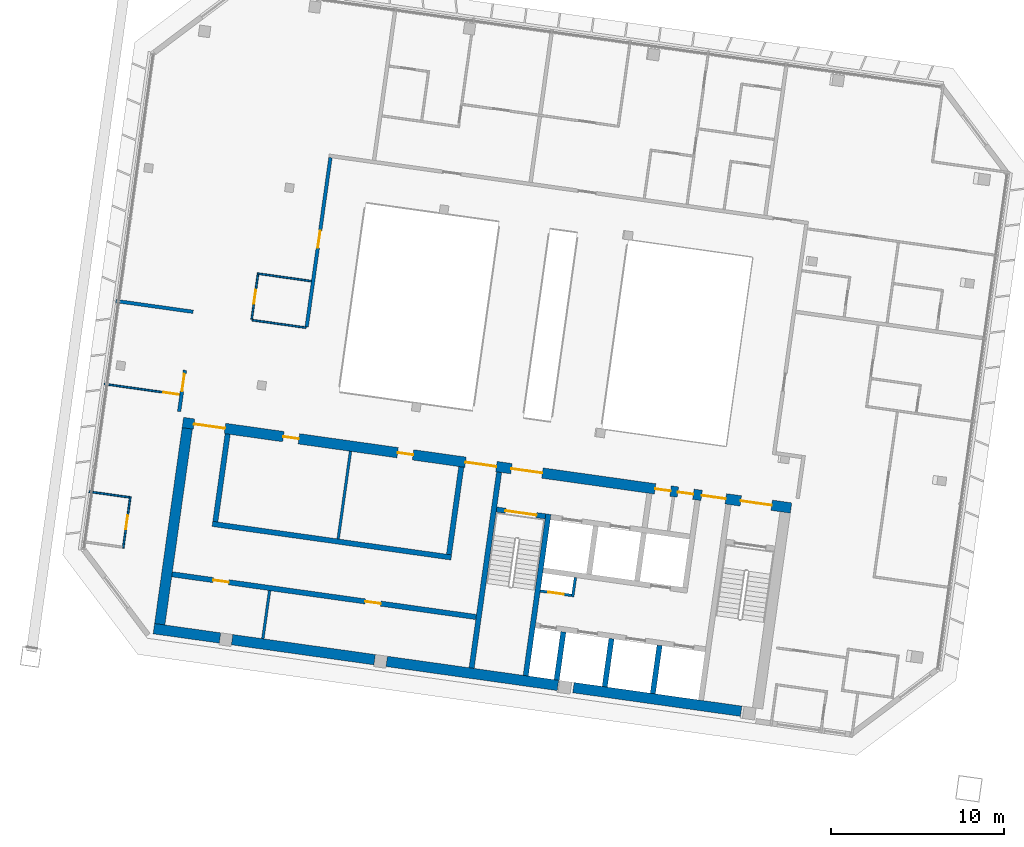
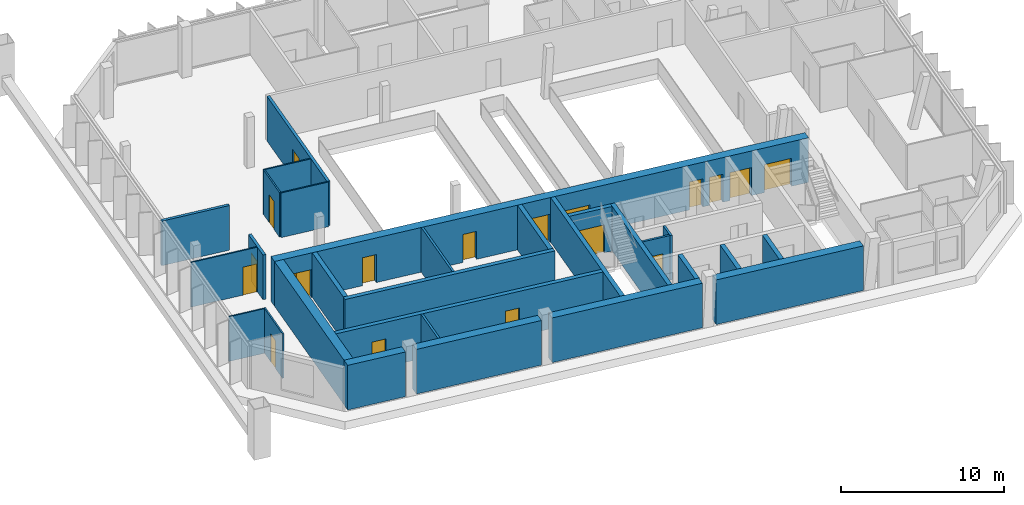
# One storey, part 15 of 26: 29 walls, 18 doors, 18 openings.
"""IFC4 building model written with IfcOpenShell, lengths in metres."""

import ifcopenshell
import ifcopenshell.guid

model = None  # the IFC model being written
_history = None  # IfcOwnerHistory: only IFC2X3 demands one
_inside = {}  # id of a spatial element -> (the spatial element, [elements in it])
_under = {}  # id of a project, library or spatial element -> (it, [spatial elements below it])
_declared = {}  # id of a project -> (the project, [libraries it declares])
_typed = {}  # id of a type object -> (the type object, [elements of that type])
_made_of = {}  # id of a material, layer set ... -> (it, [elements and type objects made of it])


def new_model(schema):
    """Start an empty IFC model of exactly this schema.

    Asked for "IFC4X3", IfcOpenShell would pick the latest addendum, in which some entities
    have other attributes; the version numbers below select the first issue.
    IFC2X3 requires an IfcOwnerHistory on every rooted entity: one is made here for all.
    """
    global model, _history
    if schema == "IFC4X3":
        model = ifcopenshell.file(schema_version=(4, 3, 0, 0))
    else:
        model = ifcopenshell.file(schema=schema)
    _inside.clear()
    _under.clear()
    _declared.clear()
    _typed.clear()
    _made_of.clear()
    _history = None
    if model.schema == "IFC2X3":
        org = make("IfcOrganization", Name="unknown")
        user = make(
            "IfcPersonAndOrganization",
            ThePerson=make("IfcPerson", FamilyName="unknown"),
            TheOrganization=org,
        )
        app = make(
            "IfcApplication",
            ApplicationDeveloper=org,
            Version="unknown",
            ApplicationFullName="unknown",
            ApplicationIdentifier="unknown",
        )
        _history = make(
            "IfcOwnerHistory",
            OwningUser=user,
            OwningApplication=app,
            ChangeAction="ADDED",
            CreationDate=0,
        )
    return model


def make(cls, **values):
    """One entity of the class cls with the attributes given. An attribute that is None is left unset."""
    return model.create_entity(
        cls, **{name: value for name, value in values.items() if value is not None}
    )


def rooted(cls, **values):
    """An entity with a GlobalId (a new one), such as an element, a storey or a relation."""
    return make(cls, GlobalId=ifcopenshell.guid.new(), OwnerHistory=_history, **values)


def si_unit(unit_type, name, prefix=None):
    """IfcSIUnit, for example si_unit("LENGTHUNIT", "METRE", prefix="MILLI")."""
    return make("IfcSIUnit", UnitType=unit_type, Prefix=prefix, Name=name)


def assignment(units):
    """IfcUnitAssignment: the units of a project."""
    return None if units is None else make("IfcUnitAssignment", Units=units)


def point(xyz):
    """IfcCartesianPoint."""
    return None if xyz is None else make("IfcCartesianPoint", Coordinates=xyz)


def direction(xyz):
    """IfcDirection."""
    return None if xyz is None else make("IfcDirection", DirectionRatios=xyz)


def frame(location, z_axis=None, x_axis=None):
    """IfcAxis2Placement3D, a coordinate frame: its origin and axes. An axis left out is left unset."""
    return make(
        "IfcAxis2Placement3D",
        Location=point(location),
        Axis=direction(z_axis),
        RefDirection=direction(x_axis),
    )


def frame_2d(location, x_axis=None):
    """IfcAxis2Placement2D, a coordinate frame in the plane: its origin and x axis."""
    return make(
        "IfcAxis2Placement2D", Location=point(location), RefDirection=direction(x_axis)
    )


def origin():
    """The frame at (0, 0, 0) with its axes left unset."""
    return frame((0.0, 0.0, 0.0))


def place(relative_to, where):
    """IfcLocalPlacement: puts the frame where relative to a parent placement (None: the world)."""
    return make(
        "IfcLocalPlacement", PlacementRelTo=relative_to, RelativePlacement=where
    )


def context(
    kind, dimensions, precision=None, world=None, true_north=None, identifier=None
):
    """IfcGeometricRepresentationContext, for example the 3D "Model" context."""
    return make(
        "IfcGeometricRepresentationContext",
        ContextIdentifier=identifier,
        ContextType=kind,
        CoordinateSpaceDimension=dimensions,
        Precision=precision,
        WorldCoordinateSystem=world,
        TrueNorth=true_north,
    )


def subcontext(parent, identifier, kind, view, scale=None):
    """IfcGeometricRepresentationSubContext, for example "Body" below "Model"."""
    return make(
        "IfcGeometricRepresentationSubContext",
        ContextIdentifier=identifier,
        ContextType=kind,
        ParentContext=parent,
        TargetScale=scale,
        TargetView=view,
    )


def project(units=None, contexts=None):
    """IfcProject with its units and contexts."""
    return rooted(
        "IfcProject",
        Name="project",
        RepresentationContexts=contexts,
        UnitsInContext=assignment(units),
    )


def spatial(cls, under=None, at=None, **own):
    """A site, building, storey or space (cls), placed at a placement, below another one or the project."""
    s = rooted(cls, ObjectPlacement=at, **own)
    if under is not None:
        _under.setdefault(under.id(), (under, []))[1].append(s)
    return s


def profile(cls, at=None, kind="AREA", **sizes):
    """A parametric profile (cls). Its sizes go by their IFC names, for example OverallWidth=200.0."""
    return make(cls, ProfileType=kind, Position=at, **sizes)


def rectangle(**sizes):
    """IfcRectangleProfileDef."""
    return profile("IfcRectangleProfileDef", **sizes)


def extrude(swept, where, along, depth):
    """IfcExtrudedAreaSolid: the profile swept, set in the frame where, extruded along a direction by depth."""
    return make(
        "IfcExtrudedAreaSolid",
        SweptArea=swept,
        Position=where,
        ExtrudedDirection=direction(along),
        Depth=depth,
    )


def shape(context_of_items, identifier, shape_type, items):
    """IfcShapeRepresentation: the items that make up one representation, for example the "Body"."""
    return make(
        "IfcShapeRepresentation",
        ContextOfItems=context_of_items,
        RepresentationIdentifier=identifier,
        RepresentationType=shape_type,
        Items=items,
    )


def material(Name=None, Category=None):
    """IfcMaterial."""
    return make("IfcMaterial", Name=Name, Category=Category)


def layer(
    of_material, thickness, ventilated=None, Name=None, Category=None, Priority=None
):
    """IfcMaterialLayer: one layer of a wall or slab, of a material (None: an air gap)."""
    return make(
        "IfcMaterialLayer",
        Material=of_material,
        LayerThickness=thickness,
        IsVentilated=ventilated,
        Name=Name,
        Category=Category,
        Priority=Priority,
    )


def layer_set(layers, Name=None):
    """IfcMaterialLayerSet."""
    return make("IfcMaterialLayerSet", MaterialLayers=layers, LayerSetName=Name)


def made_of(thing, what):
    """Note that an element or type object is made of a material, layer set ...; save() writes the relation."""
    if what is not None:
        _made_of.setdefault(what.id(), (what, []))[1].append(thing)
    return thing


def type_object(cls, material=None, **own):
    """A type object (cls), such as IfcWallType, which elements share."""
    return made_of(rooted(cls, **own), material)


def element(
    cls,
    number,
    at=None,
    inside=None,
    cuts=None,
    type_object=None,
    material=None,
    context=None,
    identifier="Body",
    shape_type=None,
    held_by="IfcProductDefinitionShape",
    body=None,
    shapes=None,
    **own,
):
    """One element of the class cls, such as IfcWall. Its Tag is "e" and its number.

    at: its placement. inside: the storey or other place that contains it. cuts: it is an
    opening in that element (IfcRelVoidsElement). A single representation is given by context,
    identifier, shape_type and body (its items); several are given by shapes. held_by: the class
    of the entity that holds the representations. save() writes the other relations.
    """
    e = rooted(cls, Tag="e%d" % number, ObjectPlacement=at, **own)
    if body is not None:
        shapes = [shape(context, identifier, shape_type, body)]
    if shapes is not None:
        e.Representation = make(held_by, Representations=shapes)
    if inside is not None:
        _inside.setdefault(inside.id(), (inside, []))[1].append(e)
    if cuts is not None:
        rooted(
            "IfcRelVoidsElement", RelatingBuildingElement=cuts, RelatedOpeningElement=e
        )
    if type_object is not None:
        _typed.setdefault(type_object.id(), (type_object, []))[1].append(e)
    return made_of(e, material)


def fill(opening, filler):
    """IfcRelFillsElement: the door or window that sits in an opening."""
    return rooted(
        "IfcRelFillsElement",
        RelatingOpeningElement=opening,
        RelatedBuildingElement=filler,
    )


def aggregate(whole, parts):
    """IfcRelAggregates: a whole, such as a stair, and the parts it consists of."""
    return rooted("IfcRelAggregates", RelatingObject=whole, RelatedObjects=parts)


def save(model, path):
    """Write the relations noted so far, then the file.

    IfcRelAggregates (storeys below a building ...), IfcRelContainedInSpatialStructure (elements
    in a storey), IfcRelDefinesByType, IfcRelAssociatesMaterial and IfcRelDeclares: one each for
    every whole, place, type object, material and project.
    """
    for whole, parts in _under.values():
        aggregate(whole, parts)
    for where, things in _inside.values():
        rooted(
            "IfcRelContainedInSpatialStructure",
            RelatedElements=things,
            RelatingStructure=where,
        )
    for kind, things in _typed.values():
        rooted("IfcRelDefinesByType", RelatedObjects=things, RelatingType=kind)
    for what, things in _made_of.values():
        rooted("IfcRelAssociatesMaterial", RelatedObjects=things, RelatingMaterial=what)
    for by, libraries in _declared.values():
        rooted("IfcRelDeclares", RelatingContext=by, RelatedDefinitions=libraries)
    model.write(path)


model = new_model("IFC4")

# Units and contexts
model_context = context("Model", 3, precision=1e-05, world=origin(), true_north=direction((0.0, 1.0)))
body_context = subcontext(model_context, "Body", "Model", "MODEL_VIEW")
ifc_project = project(units=[si_unit("LENGTHUNIT", "METRE"), si_unit("AREAUNIT", "SQUARE_METRE"), si_unit("VOLUMEUNIT", "CUBIC_METRE"), si_unit("PLANEANGLEUNIT", "RADIAN"), si_unit("MASSUNIT", "GRAM", prefix="KILO")], contexts=[model_context])

# Site, building, storey
site_placement = place(None, origin())
site = spatial("IfcSite", under=ifc_project, at=site_placement, CompositionType="ELEMENT")
building_placement = place(site_placement, origin())
building = spatial("IfcBuilding", under=site, at=building_placement, Name="Mirante Cascada Hotel Towers", CompositionType="ELEMENT")
storey_placement = place(building_placement, frame((0.0, 0.0, 216.6)))
storey = spatial("IfcBuildingStorey", under=building, at=storey_placement, Name="L51", CompositionType="ELEMENT", Elevation=216.6)

# Wall
ifc_material_1 = material(Name="Fire-rated plasterboard on metal studs")
ifc_layer_1 = layer(ifc_material_1, 0.2)
ifc_layer_set_1 = layer_set([ifc_layer_1], Name="Compartment wall 200 EI 120")
wall_type_1 = type_object("IfcWallType", Name="Compartment wall 200 EI 120", PredefinedType="PARTITIONING", material=ifc_layer_set_1)
wall_1_placement = place(storey_placement, frame((-70.1059, 3.6365, 0.0), z_axis=(0.0, 0.0, 1.0), x_axis=(-0.9902674, 0.1391779, 0.0)))
element("IfcWall", 1, at=wall_1_placement, inside=storey, type_object=wall_type_1, Name="Wall 1-L51-12", PredefinedType="PARTITIONING", context=body_context, shape_type="SweptSolid", body=[
    extrude(rectangle(XDim=4.5, YDim=0.2, at=frame_2d((2.25, 0.0))), origin(), (0.0, 0.0, 1.0), 3.35),
])

# Wall, opening, door
wall_2_placement = place(storey_placement, frame((-63.5631, 2.7675, 0.0), z_axis=(0.0, 0.0, 1.0), x_axis=(0.1391682, 0.9902688, 0.0)))
wall_2 = element("IfcWall", 2, at=wall_2_placement, inside=storey, type_object=wall_type_1, Name="Wall 1-L51-52", PredefinedType="PARTITIONING", context=body_context, shape_type="SweptSolid", body=[
    extrude(rectangle(XDim=9.85, YDim=0.2, at=frame_2d((4.925, 0.0))), origin(), (0.0, 0.0, 1.0), 3.35),
])
opening_1_placement = place(wall_2_placement, frame((4.6, 0.0, 0.0)))
opening_1 = element("IfcOpeningElement", 3, at=opening_1_placement, cuts=wall_2, Name="Opening D1-L51-26", PredefinedType="OPENING", context=body_context, shape_type="SweptSolid", body=[
    extrude(rectangle(XDim=1.0, YDim=2.1, at=frame_2d((0.5, 1.05))), frame((0.0, 0.1, 0.0), z_axis=(0.0, -1.0, 0.0), x_axis=(1.0, 0.0, 0.0)), (0.0, 0.0, 1.0), 0.2),
])
ifc_material_2 = material(Name="Fire-rated timber door leaf", Category="wood")
door_type_1 = type_object("IfcDoorType", Name="Entrance door DG1 1000x2100 EI 60", OperationType="SINGLE_SWING_LEFT", PredefinedType="DOOR", material=ifc_material_2)
door_1_placement = place(opening_1_placement, origin())
door_1 = element("IfcDoor", 4, at=door_1_placement, inside=storey, type_object=door_type_1, Name="Door D1-L51-26", OperationType="SINGLE_SWING_LEFT", OverallHeight=2.1, OverallWidth=1.0, PredefinedType="DOOR", context=body_context, shape_type="SweptSolid", body=[
    extrude(rectangle(XDim=1.0, YDim=2.1, at=frame_2d((0.5, 1.05))), frame((0.0, 0.025, 0.0), z_axis=(0.0, -1.0, 0.0), x_axis=(1.0, 0.0, 0.0)), (0.0, 0.0, 1.0), 0.05),
])
fill(opening_1, door_1)

wall_3_placement = place(storey_placement, frame((-70.9131, -2.107, 0.0), z_axis=(0.0, 0.0, 1.0), x_axis=(0.1392101, 0.9902629, 0.0)))
wall_3 = element("IfcWall", 5, at=wall_3_placement, inside=storey, type_object=wall_type_1, Name="Wall 1-L51-54", PredefinedType="PARTITIONING", context=body_context, shape_type="SweptSolid", body=[
    extrude(rectangle(XDim=2.4, YDim=0.2, at=frame_2d((1.2, 0.0))), origin(), (0.0, 0.0, 1.0), 3.35),
])
opening_2_placement = place(wall_3_placement, frame((1.1833, 0.0, 0.0)))
opening_2 = element("IfcOpeningElement", 6, at=opening_2_placement, cuts=wall_3, Name="Opening D1-L51-28", PredefinedType="OPENING", context=body_context, shape_type="SweptSolid", body=[
    extrude(rectangle(XDim=1.0, YDim=2.1, at=frame_2d((0.5, 1.05))), frame((0.0, 0.1, 0.0), z_axis=(0.0, -1.0, 0.0), x_axis=(1.0, 0.0, 0.0)), (0.0, 0.0, 1.0), 0.2),
])
door_2_placement = place(opening_2_placement, origin())
door_2 = element("IfcDoor", 7, at=door_2_placement, inside=storey, type_object=door_type_1, Name="Door D1-L51-28", OperationType="SINGLE_SWING_LEFT", OverallHeight=2.1, OverallWidth=1.0, PredefinedType="DOOR", context=body_context, shape_type="SweptSolid", body=[
    extrude(rectangle(XDim=1.0, YDim=2.1, at=frame_2d((0.5, 1.05))), frame((0.0, 0.025, 0.0), z_axis=(0.0, -1.0, 0.0), x_axis=(1.0, 0.0, 0.0)), (0.0, 0.0, 1.0), 0.05),
])
fill(opening_2, door_2)

# Wall
ifc_material_3 = material(Name="Masonry block", Category="masonry")
ifc_layer_2 = layer(ifc_material_3, 0.15)
ifc_layer_set_2 = layer_set([ifc_layer_2], Name="Core room partition 150 block EI 30")
wall_type_2 = type_object("IfcWallType", Name="Core room partition 150 block EI 30", PredefinedType="PARTITIONING", material=ifc_layer_set_2)
wall_4_placement = place(storey_placement, frame((-48.2295, -12.793, 0.0), z_axis=(0.0, 0.0, 1.0), x_axis=(0.1391935, 0.9902652, 0.0)))
element("IfcWall", 8, at=wall_4_placement, inside=storey, type_object=wall_type_2, Name="Core wall partition T1 L51 2", PredefinedType="PARTITIONING", context=body_context, shape_type="SweptSolid", body=[
    extrude(rectangle(XDim=1.1251, YDim=0.15, at=frame_2d((0.5626, 0.0))), origin(), (0.0, 0.0, 1.0), 3.35),
])

# Wall, opening, door
wall_5_placement = place(storey_placement, frame((-48.2933, -12.7083, 0.0), z_axis=(0.0, 0.0, 1.0), x_axis=(-0.990268, 0.1391734, 0.0)))
wall_5 = element("IfcWall", 9, at=wall_5_placement, inside=storey, type_object=wall_type_2, Name="Core wall partition T1 L51 3", PredefinedType="PARTITIONING", context=body_context, shape_type="SweptSolid", body=[
    extrude(rectangle(XDim=1.8251, YDim=0.15, at=frame_2d((0.9126, 0.0))), origin(), (0.0, 0.0, 1.0), 3.35),
])
opening_3_placement = place(wall_5_placement, frame((0.4625, 0.0, 0.0)))
opening_3 = element("IfcOpeningElement", 10, at=opening_3_placement, cuts=wall_5, Name="Opening D1-51-C15", PredefinedType="OPENING", context=body_context, shape_type="SweptSolid", body=[
    extrude(rectangle(XDim=0.9, YDim=2.1, at=frame_2d((0.45, 1.05))), frame((0.0, 0.075, 0.0), z_axis=(0.0, -1.0, 0.0), x_axis=(1.0, 0.0, 0.0)), (0.0, 0.0, 1.0), 0.15),
])
ifc_material_4 = material(Name="Hollow metal fire door leaf")
door_type_2 = type_object("IfcDoorType", Name="Fire door 900x2100 FD60", OperationType="NOTDEFINED", PredefinedType="DOOR", material=ifc_material_4)
door_3_placement = place(opening_3_placement, origin())
door_3 = element("IfcDoor", 11, at=door_3_placement, inside=storey, type_object=door_type_2, Name="Riser door T1 L51 15", OperationType="SINGLE_SWING_LEFT", OverallHeight=2.1, OverallWidth=0.9, PredefinedType="DOOR", context=body_context, shape_type="SweptSolid", body=[
    extrude(rectangle(XDim=0.9, YDim=2.1, at=frame_2d((0.45, 1.05))), frame((0.0, 0.025, 0.0), z_axis=(0.0, -1.0, 0.0), x_axis=(1.0, 0.0, 0.0)), (0.0, 0.0, 1.0), 0.05),
])
fill(opening_3, door_3)

# Walls
wall_6_placement = place(storey_placement, frame((-66.0891, -15.2059, 0.0), z_axis=(0.0, 0.0, 1.0), x_axis=(0.139176, 0.9902677, 0.0)))
element("IfcWall", 12, at=wall_6_placement, inside=storey, type_object=wall_type_2, Name="Core wall partition T1 L51 6", PredefinedType="PARTITIONING", context=body_context, shape_type="SweptSolid", body=[
    extrude(rectangle(XDim=2.8001, YDim=0.15, at=frame_2d((1.4, 0.0))), origin(), (0.0, 0.0, 1.0), 3.35),
])
wall_7_placement = place(storey_placement, frame((-61.7464, -9.4543, 0.0), z_axis=(0.0, 0.0, 1.0), x_axis=(0.1391755, 0.9902677, 0.0)))
element("IfcWall", 13, at=wall_7_placement, inside=storey, type_object=wall_type_2, Name="Core wall partition T1 L51 7", PredefinedType="PARTITIONING", context=body_context, shape_type="SweptSolid", body=[
    extrude(rectangle(XDim=5.1, YDim=0.15, at=frame_2d((2.55, 0.0))), origin(), (0.0, 0.0, 1.0), 3.35),
])

# Wall, openings, doors
ifc_material_5 = material(Name="Masonry block", Category="masonry")
ifc_layer_3 = layer(ifc_material_5, 0.3)
ifc_layer_set_3 = layer_set([ifc_layer_3], Name="Core wall 300 block EI 120")
wall_type_3 = type_object("IfcWallType", Name="Core wall 300 block EI 120", PredefinedType="PARTITIONING", material=ifc_layer_set_3)
wall_8_placement = place(storey_placement, frame((-53.7953, -13.9547, 0.0), z_axis=(0.0, 0.0, 1.0), x_axis=(-0.9902678, 0.1391747, 0.0)))
wall_8 = element("IfcWall", 14, at=wall_8_placement, inside=storey, type_object=wall_type_3, Name="Core wall partition T1 L51 5", PredefinedType="PARTITIONING", context=body_context, shape_type="SweptSolid", body=[
    extrude(rectangle(XDim=17.7001, YDim=0.3, at=frame_2d((8.85, 0.0))), origin(), (0.0, 0.0, 1.0), 3.35),
])
opening_4_placement = place(wall_8_placement, frame((5.55, 0.0, 0.0)))
opening_4 = element("IfcOpeningElement", 15, at=opening_4_placement, cuts=wall_8, Name="Opening D1-51-C18", PredefinedType="OPENING", context=body_context, shape_type="SweptSolid", body=[
    extrude(rectangle(XDim=0.9, YDim=2.1, at=frame_2d((0.45, 1.05))), frame((0.0, 0.15, 0.0), z_axis=(0.0, -1.0, 0.0), x_axis=(1.0, 0.0, 0.0)), (0.0, 0.0, 1.0), 0.3),
])
opening_5_placement = place(wall_8_placement, frame((14.4, 0.0, 0.0)))
opening_5 = element("IfcOpeningElement", 16, at=opening_5_placement, cuts=wall_8, Name="Opening D1-51-C19", PredefinedType="OPENING", context=body_context, shape_type="SweptSolid", body=[
    extrude(rectangle(XDim=0.9, YDim=2.1, at=frame_2d((0.45, 1.05))), frame((0.0, 0.15, 0.0), z_axis=(0.0, -1.0, 0.0), x_axis=(1.0, 0.0, 0.0)), (0.0, 0.0, 1.0), 0.3),
])
door_4_placement = place(opening_4_placement, origin())
door_4 = element("IfcDoor", 17, at=door_4_placement, inside=storey, type_object=door_type_2, Name="Room door T1 L51 18", OperationType="SINGLE_SWING_RIGHT", OverallHeight=2.1, OverallWidth=0.9, PredefinedType="DOOR", context=body_context, shape_type="SweptSolid", body=[
    extrude(rectangle(XDim=0.9, YDim=2.1, at=frame_2d((0.45, 1.05))), frame((0.0, 0.025, 0.0), z_axis=(0.0, -1.0, 0.0), x_axis=(1.0, 0.0, 0.0)), (0.0, 0.0, 1.0), 0.05),
])
fill(opening_4, door_4)
door_5_placement = place(opening_5_placement, origin())
door_5 = element("IfcDoor", 18, at=door_5_placement, inside=storey, type_object=door_type_2, Name="Room door T1 L51 19", OperationType="SINGLE_SWING_LEFT", OverallHeight=2.1, OverallWidth=0.9, PredefinedType="DOOR", context=body_context, shape_type="SweptSolid", body=[
    extrude(rectangle(XDim=0.9, YDim=2.1, at=frame_2d((0.45, 1.05))), frame((0.0, 0.025, 0.0), z_axis=(0.0, -1.0, 0.0), x_axis=(1.0, 0.0, 0.0)), (0.0, 0.0, 1.0), 0.05),
])
fill(opening_5, door_5)

# Wall
ifc_material_6 = material(Name="Plasterboard on metal studs")
ifc_layer_4 = layer(ifc_material_6, 0.1)
ifc_layer_set_4 = layer_set([ifc_layer_4], Name="Partition 100")
wall_type_4 = type_object("IfcWallType", Name="Partition 100", PredefinedType="PARTITIONING", material=ifc_layer_set_4)
wall_9_placement = place(storey_placement, frame((-73.7798, -7.0562, 0.0), z_axis=(0.0, 0.0, 1.0), x_axis=(-0.9902712, 0.1391512, 0.0)))
element("IfcWall", 19, at=wall_9_placement, inside=storey, type_object=wall_type_4, Name="Wall 1-L51-06", PredefinedType="PARTITIONING", context=body_context, shape_type="SweptSolid", body=[
    extrude(rectangle(XDim=2.35, YDim=0.1, at=frame_2d((1.175, 0.0))), origin(), (0.0, 0.0, 1.0), 3.35),
])

# Wall, opening, door
wall_10_placement = place(storey_placement, frame((-70.8775, -1.1358, 0.0), z_axis=(0.0, 0.0, 1.0), x_axis=(-0.9902701, 0.1391587, 0.0)))
wall_10 = element("IfcWall", 20, at=wall_10_placement, inside=storey, type_object=wall_type_4, Name="Wall 1-L51-08", PredefinedType="PARTITIONING", context=body_context, shape_type="SweptSolid", body=[
    extrude(rectangle(XDim=4.4, YDim=0.1, at=frame_2d((2.2, 0.0))), origin(), (0.0, 0.0, 1.0), 3.35),
])
opening_6_placement = place(wall_10_placement, frame((0.05, 0.0, 0.0)))
opening_6 = element("IfcOpeningElement", 21, at=opening_6_placement, cuts=wall_10, Name="Opening D1-L51-03", PredefinedType="OPENING", context=body_context, shape_type="SweptSolid", body=[
    extrude(rectangle(XDim=0.9, YDim=2.1, at=frame_2d((0.45, 1.05))), frame((0.0, 0.05, 0.0), z_axis=(0.0, -1.0, 0.0), x_axis=(1.0, 0.0, 0.0)), (0.0, 0.0, 1.0), 0.1),
])
ifc_material_7 = material(Name="Timber door leaf", Category="wood")
door_type_3 = type_object("IfcDoorType", Name="Room door DG3 900x2100", OperationType="SINGLE_SWING_LEFT", PredefinedType="DOOR", material=ifc_material_7)
door_6_placement = place(opening_6_placement, origin())
door_6 = element("IfcDoor", 22, at=door_6_placement, inside=storey, type_object=door_type_3, Name="Door D1-L51-03", OperationType="SINGLE_SWING_LEFT", OverallHeight=2.1, OverallWidth=0.9, PredefinedType="DOOR", context=body_context, shape_type="SweptSolid", body=[
    extrude(rectangle(XDim=0.9, YDim=2.1, at=frame_2d((0.45, 1.05))), frame((0.0, 0.025, 0.0), z_axis=(0.0, -1.0, 0.0), x_axis=(1.0, 0.0, 0.0)), (0.0, 0.0, 1.0), 0.05),
])
fill(opening_6, door_6)

# Walls
wall_11_placement = place(storey_placement, frame((-66.7092, 3.1591, 0.0), z_axis=(0.0, 0.0, 1.0), x_axis=(0.990268, -0.1391738, 0.0)))
element("IfcWall", 23, at=wall_11_placement, inside=storey, type_object=wall_type_4, Name="Wall 1-L51-11", PredefinedType="PARTITIONING", context=body_context, shape_type="SweptSolid", body=[
    extrude(rectangle(XDim=3.14, YDim=0.1, at=frame_2d((1.57, 0.0))), origin(), (0.0, 0.0, 1.0), 3.35),
])
wall_12_placement = place(storey_placement, frame((-63.2933, 5.4056, 0.0), z_axis=(0.0, 0.0, 1.0), x_axis=(-0.9902682, 0.1391721, 0.0)))
element("IfcWall", 24, at=wall_12_placement, inside=storey, type_object=wall_type_4, Name="Wall 1-L51-14", PredefinedType="PARTITIONING", context=body_context, shape_type="SweptSolid", body=[
    extrude(rectangle(XDim=3.1501, YDim=0.1, at=frame_2d((1.575, 0.0))), origin(), (0.0, 0.0, 1.0), 3.35),
])

# Wall, opening, door
wall_13_placement = place(storey_placement, frame((-66.3701, 5.7875, 0.0), z_axis=(0.0, 0.0, 1.0), x_axis=(-0.1391918, -0.9902654, 0.0)))
wall_13 = element("IfcWall", 25, at=wall_13_placement, inside=storey, type_object=wall_type_4, Name="Wall 1-L51-53", PredefinedType="PARTITIONING", context=body_context, shape_type="SweptSolid", body=[
    extrude(rectangle(XDim=2.6, YDim=0.1, at=frame_2d((1.3, 0.0))), origin(), (0.0, 0.0, 1.0), 3.35),
])
opening_7_placement = place(wall_13_placement, frame((0.9, 0.0, 0.0)))
opening_7 = element("IfcOpeningElement", 26, at=opening_7_placement, cuts=wall_13, Name="Opening D1-L51-27", PredefinedType="OPENING", context=body_context, shape_type="SweptSolid", body=[
    extrude(rectangle(XDim=0.8, YDim=2.1, at=frame_2d((0.4, 1.05))), frame((0.0, 0.05, 0.0), z_axis=(0.0, -1.0, 0.0), x_axis=(1.0, 0.0, 0.0)), (0.0, 0.0, 1.0), 0.1),
])
ifc_material_8 = material(Name="Timber door leaf", Category="wood")
door_type_4 = type_object("IfcDoorType", Name="Bathroom door DG4 800x2100", OperationType="SINGLE_SWING_LEFT", PredefinedType="DOOR", material=ifc_material_8)
door_7_placement = place(opening_7_placement, frame((0.8, 0.0, 0.0), z_axis=(0.0, 0.0, 1.0), x_axis=(-1.0, 0.0, 0.0)))
door_7 = element("IfcDoor", 27, at=door_7_placement, inside=storey, type_object=door_type_4, Name="Door D1-L51-27", OperationType="SINGLE_SWING_RIGHT", OverallHeight=2.1, OverallWidth=0.8, PredefinedType="DOOR", context=body_context, shape_type="SweptSolid", body=[
    extrude(rectangle(XDim=0.8, YDim=2.1, at=frame_2d((0.4, 1.05))), frame((0.0, 0.025, 0.0), z_axis=(0.0, -1.0, 0.0), x_axis=(1.0, 0.0, 0.0)), (0.0, 0.0, 1.0), 0.05),
])
fill(opening_7, door_7)

wall_14_placement = place(storey_placement, frame((-73.7233, -7.0137, 0.0), z_axis=(0.0, 0.0, 1.0), x_axis=(-0.139167, -0.9902689, 0.0)))
wall_14 = element("IfcWall", 28, at=wall_14_placement, inside=storey, type_object=wall_type_4, Name="Wall 1-L51-55", PredefinedType="PARTITIONING", context=body_context, shape_type="SweptSolid", body=[
    extrude(rectangle(XDim=3.0, YDim=0.1, at=frame_2d((1.5, 0.0))), origin(), (0.0, 0.0, 1.0), 3.35),
])
opening_8_placement = place(wall_14_placement, frame((1.1, 0.0, 0.0)))
opening_8 = element("IfcOpeningElement", 29, at=opening_8_placement, cuts=wall_14, Name="Opening D1-L51-29", PredefinedType="OPENING", context=body_context, shape_type="SweptSolid", body=[
    extrude(rectangle(XDim=0.8, YDim=2.1, at=frame_2d((0.4, 1.05))), frame((0.0, 0.05, 0.0), z_axis=(0.0, -1.0, 0.0), x_axis=(1.0, 0.0, 0.0)), (0.0, 0.0, 1.0), 0.1),
])
door_8_placement = place(opening_8_placement, origin())
door_8 = element("IfcDoor", 30, at=door_8_placement, inside=storey, type_object=door_type_4, Name="Door D1-L51-29", OperationType="SINGLE_SWING_LEFT", OverallHeight=2.1, OverallWidth=0.8, PredefinedType="DOOR", context=body_context, shape_type="SweptSolid", body=[
    extrude(rectangle(XDim=0.8, YDim=2.1, at=frame_2d((0.4, 1.05))), frame((0.0, 0.025, 0.0), z_axis=(0.0, -1.0, 0.0), x_axis=(1.0, 0.0, 0.0)), (0.0, 0.0, 1.0), 0.05),
])
fill(opening_8, door_8)

# Walls
ifc_material_9 = material(Name="Concrete C50/60", Category="concrete")
ifc_layer_5 = layer(ifc_material_9, 0.3)
ifc_layer_set_5 = layer_set([ifc_layer_5], Name="RC core wall 300 C50/60")
wall_type_5 = type_object("IfcWallType", Name="RC core wall 300 C50/60", PredefinedType="SHEAR", material=ifc_layer_set_5)
wall_15_placement = place(storey_placement, frame((-50.938, -17.3352, 0.0), z_axis=(0.0, 0.0, 1.0), x_axis=(0.1391706, 0.9902684, 0.0)))
element("IfcWall", 31, at=wall_15_placement, inside=storey, type_object=wall_type_5, Name="Core wall T1:L51:6", PredefinedType="SHEAR", context=body_context, shape_type="SweptSolid", body=[
    extrude(rectangle(XDim=9.4, YDim=0.3, at=frame_2d((4.7, 0.0))), origin(), (0.0, 0.0, 1.0), 3.35),
])
wall_16_placement = place(storey_placement, frame((-54.0574, -16.8968, 0.0), z_axis=(0.0, 0.0, 1.0), x_axis=(0.1391761, 0.9902677, 0.0)))
element("IfcWall", 32, at=wall_16_placement, inside=storey, type_object=wall_type_5, Name="Core wall T1:L51:7", PredefinedType="SHEAR", context=body_context, shape_type="SweptSolid", body=[
    extrude(rectangle(XDim=11.3999, YDim=0.3, at=frame_2d((5.7, 0.0))), origin(), (0.0, 0.0, 1.0), 3.35),
])

# Wall, opening, door
wall_17_placement = place(storey_placement, frame((-49.7992, -8.1544, 0.0), z_axis=(0.0, 0.0, 1.0), x_axis=(-0.9902656, 0.1391909, 0.0)))
wall_17 = element("IfcWall", 33, at=wall_17_placement, inside=storey, type_object=wall_type_5, Name="Core wall T1:L51:9", PredefinedType="SHEAR", context=body_context, shape_type="SweptSolid", body=[
    extrude(rectangle(XDim=2.85, YDim=0.3, at=frame_2d((1.425, 0.0))), origin(), (0.0, 0.0, 1.0), 3.35),
])
opening_9_placement = place(wall_17_placement, frame((0.525, 0.0, 0.0)))
opening_9 = element("IfcOpeningElement", 34, at=opening_9_placement, cuts=wall_17, Name="Opening D1-51-C09", PredefinedType="OPENING", context=body_context, shape_type="SweptSolid", body=[
    extrude(rectangle(XDim=1.8, YDim=2.1, at=frame_2d((0.9, 1.05))), frame((0.0, 0.15, 0.0), z_axis=(0.0, -1.0, 0.0), x_axis=(1.0, 0.0, 0.0)), (0.0, 0.0, 1.0), 0.3),
])
ifc_material_10 = material(Name="Hollow metal fire door leaf")
door_type_5 = type_object("IfcDoorType", Name="Double fire door 1800x2100 FD60", OperationType="DOUBLE_DOOR_SINGLE_SWING", PredefinedType="DOOR", material=ifc_material_10)
door_9_placement = place(opening_9_placement, origin())
door_9 = element("IfcDoor", 35, at=door_9_placement, inside=storey, type_object=door_type_5, Name="Stair door T1 L51 9", OperationType="DOUBLE_DOOR_SINGLE_SWING", OverallHeight=2.1, OverallWidth=1.8, PredefinedType="DOOR", context=body_context, shape_type="SweptSolid", body=[
    extrude(rectangle(XDim=0.895, YDim=2.1, at=frame_2d((0.4475, 1.05))), frame((0.0, 0.025, 0.0), z_axis=(0.0, -1.0, 0.0), x_axis=(1.0, 0.0, 0.0)), (0.0, 0.0, 1.0), 0.05),
    extrude(rectangle(XDim=0.895, YDim=2.1, at=frame_2d((1.3525, 1.05))), frame((0.0, 0.025, 0.0), z_axis=(0.0, -1.0, 0.0), x_axis=(1.0, 0.0, 0.0)), (0.0, 0.0, 1.0), 0.05),
])
fill(opening_9, door_9)

# Walls
wall_18_placement = place(storey_placement, frame((-43.61, -18.3651, 0.0), z_axis=(0.0, 0.0, 1.0), x_axis=(0.1391459, 0.9902719, 0.0)))
element("IfcWall", 36, at=wall_18_placement, inside=storey, type_object=wall_type_5, Name="Core wall T1:L51:13", PredefinedType="SHEAR", context=body_context, shape_type="SweptSolid", body=[
    extrude(rectangle(XDim=2.7999, YDim=0.3, at=frame_2d((1.4, 0.0))), origin(), (0.0, 0.0, 1.0), 3.35),
])
wall_19_placement = place(storey_placement, frame((-46.3828, -17.9754, 0.0), z_axis=(0.0, 0.0, 1.0), x_axis=(0.139181, 0.990267, 0.0)))
element("IfcWall", 37, at=wall_19_placement, inside=storey, type_object=wall_type_5, Name="Core wall T1:L51:14", PredefinedType="SHEAR", context=body_context, shape_type="SweptSolid", body=[
    extrude(rectangle(XDim=2.8, YDim=0.3, at=frame_2d((1.4, 0.0))), origin(), (0.0, 0.0, 1.0), 3.35),
])
wall_20_placement = place(storey_placement, frame((-49.1555, -17.5857, 0.0), z_axis=(0.0, 0.0, 1.0), x_axis=(0.1391459, 0.9902719, 0.0)))
element("IfcWall", 38, at=wall_20_placement, inside=storey, type_object=wall_type_5, Name="Core wall T1:L51:15", PredefinedType="SHEAR", context=body_context, shape_type="SweptSolid", body=[
    extrude(rectangle(XDim=2.7999, YDim=0.3, at=frame_2d((1.4, 0.0))), origin(), (0.0, 0.0, 1.0), 3.35),
])
wall_21_placement = place(storey_placement, frame((-55.2315, -10.5214, 0.0), z_axis=(0.0, 0.0, 1.0), x_axis=(-0.9902681, 0.1391729, 0.0)))
element("IfcWall", 39, at=wall_21_placement, inside=storey, type_object=wall_type_5, Name="Core wall T1:L51:25", PredefinedType="SHEAR", context=body_context, shape_type="SweptSolid", body=[
    extrude(rectangle(XDim=13.9, YDim=0.3, at=frame_2d((6.95, 0.0))), origin(), (0.0, 0.0, 1.0), 3.35),
])
for number, where, z_axis, x_axis, name in (
    (40, (-55.3592, -10.352, 0.0), (0.0, 0.0, 1.0), (0.1391755, 0.9902677, 0.0), "Core wall T1:L51:26"),
    (41, (-68.8268, -8.4592, 0.0), (0.0, 0.0, 1.0), (0.1391755, 0.9902677, 0.0), "Core wall T1:L51:27"),
):
    element("IfcWall", number, at=place(storey_placement, frame(where, z_axis=z_axis, x_axis=x_axis)), inside=storey, type_object=wall_type_5, Name=name, PredefinedType="SHEAR", context=body_context, shape_type="SweptSolid", body=[
        extrude(rectangle(XDim=5.1, YDim=0.3, at=frame_2d((2.55, 0.0))), origin(), (0.0, 0.0, 1.0), 3.35),
    ])
ifc_material_11 = material(Name="Concrete C50/60", Category="concrete")
ifc_layer_6 = layer(ifc_material_11, 0.6)
ifc_layer_set_6 = layer_set([ifc_layer_6], Name="RC core wall 600 C50/60")
wall_type_6 = type_object("IfcWallType", Name="RC core wall 600 C50/60", PredefinedType="SHEAR", material=ifc_layer_set_6)
wall_22_placement = place(storey_placement, frame((-38.5218, -19.3832, 0.0), z_axis=(0.0, 0.0, 1.0), x_axis=(-0.9902674, 0.1391779, 0.0)))
element("IfcWall", 42, at=wall_22_placement, inside=storey, type_object=wall_type_6, Name="Core wall T1:L51:1.1", PredefinedType="SHEAR", context=body_context, shape_type="SweptSolid", body=[
    extrude(rectangle(XDim=9.7616, YDim=0.6, at=frame_2d((4.8808, 0.0))), origin(), (0.0, 0.0, 1.0), 3.35),
])
wall_23_placement = place(storey_placement, frame((-49.0832, -17.8989, 0.0), z_axis=(0.0, 0.0, 1.0), x_axis=(-0.9902679, 0.1391746, 0.0)))
element("IfcWall", 43, at=wall_23_placement, inside=storey, type_object=wall_type_6, Name="Core wall T1:L51:1.2", PredefinedType="SHEAR", context=body_context, shape_type="SweptSolid", body=[
    extrude(rectangle(XDim=9.9652, YDim=0.6, at=frame_2d((4.9826, 0.0))), origin(), (0.0, 0.0, 1.0), 3.35),
])
wall_24_placement = place(storey_placement, frame((-59.6446, -16.4145, 0.0), z_axis=(0.0, 0.0, 1.0), x_axis=(-0.9902686, 0.1391692, 0.0)))
element("IfcWall", 44, at=wall_24_placement, inside=storey, type_object=wall_type_6, Name="Core wall T1:L51:1.3", PredefinedType="SHEAR", context=body_context, shape_type="SweptSolid", body=[
    extrude(rectangle(XDim=8.3, YDim=0.6, at=frame_2d((4.15, 0.0))), origin(), (0.0, 0.0, 1.0), 3.35),
])
wall_25_placement = place(storey_placement, frame((-68.557, -15.162, 0.0), z_axis=(0.0, 0.0, 1.0), x_axis=(-0.990269, 0.1391665, 0.0)))
element("IfcWall", 45, at=wall_25_placement, inside=storey, type_object=wall_type_6, Name="Core wall T1:L51:1.4", PredefinedType="SHEAR", context=body_context, shape_type="SweptSolid", body=[
    extrude(rectangle(XDim=3.8501, YDim=0.6, at=frame_2d((1.925, 0.0))), origin(), (0.0, 0.0, 1.0), 3.35),
])

# Wall, openings, doors
wall_26_placement = place(storey_placement, frame((-35.644, -7.6697, 0.0), z_axis=(0.0, 0.0, 1.0), x_axis=(-0.9902682, 0.1391723, 0.0)))
wall_26 = element("IfcWall", 46, at=wall_26_placement, inside=storey, type_object=wall_type_6, Name="Core wall T1:L51:2", PredefinedType="SHEAR", context=body_context, shape_type="SweptSolid", body=[
    extrude(rectangle(XDim=35.4, YDim=0.6, at=frame_2d((17.7, 0.0))), origin(), (0.0, 0.0, 1.0), 3.35),
])
opening_10_placement = place(wall_26_placement, frame((1.125, 0.0, 0.0)))
opening_10 = element("IfcOpeningElement", 47, at=opening_10_placement, cuts=wall_26, Name="Opening D1-51-C08", PredefinedType="OPENING", context=body_context, shape_type="SweptSolid", body=[
    extrude(rectangle(XDim=1.8, YDim=2.1, at=frame_2d((0.9, 1.05))), frame((0.0, 0.3, 0.0), z_axis=(0.0, -1.0, 0.0), x_axis=(1.0, 0.0, 0.0)), (0.0, 0.0, 1.0), 0.6),
])
opening_11_placement = place(wall_26_placement, frame((14.475, 0.0, 0.0)))
opening_11 = element("IfcOpeningElement", 48, at=opening_11_placement, cuts=wall_26, Name="Opening D1-51-C10", PredefinedType="OPENING", context=body_context, shape_type="SweptSolid", body=[
    extrude(rectangle(XDim=1.8, YDim=2.1, at=frame_2d((0.9, 1.05))), frame((0.0, 0.3, 0.0), z_axis=(0.0, -1.0, 0.0), x_axis=(1.0, 0.0, 0.0)), (0.0, 0.0, 1.0), 0.6),
])
opening_12_placement = place(wall_26_placement, frame((3.8, 0.0, 0.0)))
opening_12 = element("IfcOpeningElement", 49, at=opening_12_placement, cuts=wall_26, Name="Opening D1-51-C11", PredefinedType="OPENING", context=body_context, shape_type="SweptSolid", body=[
    extrude(rectangle(XDim=1.4, YDim=2.1, at=frame_2d((0.7, 1.05))), frame((0.0, 0.3, 0.0), z_axis=(0.0, -1.0, 0.0), x_axis=(1.0, 0.0, 0.0)), (0.0, 0.0, 1.0), 0.6),
])
opening_13_placement = place(wall_26_placement, frame((17.15, 0.0, 0.0)))
opening_13 = element("IfcOpeningElement", 50, at=opening_13_placement, cuts=wall_26, Name="Opening D1-51-C12", PredefinedType="OPENING", context=body_context, shape_type="SweptSolid", body=[
    extrude(rectangle(XDim=1.8, YDim=2.1, at=frame_2d((0.9, 1.05))), frame((0.0, 0.3, 0.0), z_axis=(0.0, -1.0, 0.0), x_axis=(1.0, 0.0, 0.0)), (0.0, 0.0, 1.0), 0.6),
])
opening_14_placement = place(wall_26_placement, frame((32.95, 0.0, 0.0)))
opening_14 = element("IfcOpeningElement", 51, at=opening_14_placement, cuts=wall_26, Name="Opening D1-51-C13", PredefinedType="OPENING", context=body_context, shape_type="SweptSolid", body=[
    extrude(rectangle(XDim=1.8, YDim=2.1, at=frame_2d((0.9, 1.05))), frame((0.0, 0.3, 0.0), z_axis=(0.0, -1.0, 0.0), x_axis=(1.0, 0.0, 0.0)), (0.0, 0.0, 1.0), 0.6),
])
opening_15_placement = place(wall_26_placement, frame((5.6875, 0.0, 0.0)))
opening_15 = element("IfcOpeningElement", 52, at=opening_15_placement, cuts=wall_26, Name="Opening D1-51-C16", PredefinedType="OPENING", context=body_context, shape_type="SweptSolid", body=[
    extrude(rectangle(XDim=0.9, YDim=2.1, at=frame_2d((0.45, 1.05))), frame((0.0, 0.3, 0.0), z_axis=(0.0, -1.0, 0.0), x_axis=(1.0, 0.0, 0.0)), (0.0, 0.0, 1.0), 0.6),
])
opening_16_placement = place(wall_26_placement, frame((7.0125, 0.0, 0.0)))
opening_16 = element("IfcOpeningElement", 53, at=opening_16_placement, cuts=wall_26, Name="Opening D1-51-C17", PredefinedType="OPENING", context=body_context, shape_type="SweptSolid", body=[
    extrude(rectangle(XDim=0.9, YDim=2.1, at=frame_2d((0.45, 1.05))), frame((0.0, 0.3, 0.0), z_axis=(0.0, -1.0, 0.0), x_axis=(1.0, 0.0, 0.0)), (0.0, 0.0, 1.0), 0.6),
])
opening_17_placement = place(wall_26_placement, frame((22.0, 0.0, 0.0)))
opening_17 = element("IfcOpeningElement", 54, at=opening_17_placement, cuts=wall_26, Name="Opening D1-51-C20", PredefinedType="OPENING", context=body_context, shape_type="SweptSolid", body=[
    extrude(rectangle(XDim=0.9, YDim=2.1, at=frame_2d((0.45, 1.05))), frame((0.0, 0.3, 0.0), z_axis=(0.0, -1.0, 0.0), x_axis=(1.0, 0.0, 0.0)), (0.0, 0.0, 1.0), 0.6),
])
opening_18_placement = place(wall_26_placement, frame((28.65, 0.0, 0.0)))
opening_18 = element("IfcOpeningElement", 55, at=opening_18_placement, cuts=wall_26, Name="Opening D1-51-C21", PredefinedType="OPENING", context=body_context, shape_type="SweptSolid", body=[
    extrude(rectangle(XDim=0.9, YDim=2.1, at=frame_2d((0.45, 1.05))), frame((0.0, 0.3, 0.0), z_axis=(0.0, -1.0, 0.0), x_axis=(1.0, 0.0, 0.0)), (0.0, 0.0, 1.0), 0.6),
])
ifc_material_12 = material(Name="Hollow metal fire door leaf")
door_type_6 = type_object("IfcDoorType", Name="Double fire door 1400x2100 FD60", OperationType="DOUBLE_DOOR_SINGLE_SWING", PredefinedType="DOOR", material=ifc_material_12)
door_10_placement = place(opening_12_placement, frame((1.4, 0.0, 0.0), z_axis=(0.0, 0.0, 1.0), x_axis=(-1.0, 0.0, 0.0)))
door_10 = element("IfcDoor", 56, at=door_10_placement, inside=storey, type_object=door_type_6, Name="Exit door to gallery T1 L51 11", OperationType="DOUBLE_DOOR_SINGLE_SWING", OverallHeight=2.1, OverallWidth=1.4, PredefinedType="DOOR", context=body_context, shape_type="SweptSolid", body=[
    extrude(rectangle(XDim=0.695, YDim=2.1, at=frame_2d((0.3475, 1.05))), frame((0.0, 0.025, 0.0), z_axis=(0.0, -1.0, 0.0), x_axis=(1.0, 0.0, 0.0)), (0.0, 0.0, 1.0), 0.05),
    extrude(rectangle(XDim=0.695, YDim=2.1, at=frame_2d((1.0525, 1.05))), frame((0.0, 0.025, 0.0), z_axis=(0.0, -1.0, 0.0), x_axis=(1.0, 0.0, 0.0)), (0.0, 0.0, 1.0), 0.05),
])
fill(opening_12, door_10)
door_11_placement = place(opening_10_placement, origin())
door_11 = element("IfcDoor", 57, at=door_11_placement, inside=storey, type_object=door_type_5, Name="Exit door to gallery T1 L51 8", OperationType="DOUBLE_DOOR_SINGLE_SWING", OverallHeight=2.1, OverallWidth=1.8, PredefinedType="DOOR", context=body_context, shape_type="SweptSolid", body=[
    extrude(rectangle(XDim=0.895, YDim=2.1, at=frame_2d((0.4475, 1.05))), frame((0.0, 0.025, 0.0), z_axis=(0.0, -1.0, 0.0), x_axis=(1.0, 0.0, 0.0)), (0.0, 0.0, 1.0), 0.05),
    extrude(rectangle(XDim=0.895, YDim=2.1, at=frame_2d((1.3525, 1.05))), frame((0.0, 0.025, 0.0), z_axis=(0.0, -1.0, 0.0), x_axis=(1.0, 0.0, 0.0)), (0.0, 0.0, 1.0), 0.05),
])
fill(opening_10, door_11)
door_12_placement = place(opening_11_placement, origin())
door_12 = element("IfcDoor", 58, at=door_12_placement, inside=storey, type_object=door_type_5, Name="Exit door to gallery T1 L51 10", OperationType="DOUBLE_DOOR_SINGLE_SWING", OverallHeight=2.1, OverallWidth=1.8, PredefinedType="DOOR", context=body_context, shape_type="SweptSolid", body=[
    extrude(rectangle(XDim=0.895, YDim=2.1, at=frame_2d((0.4475, 1.05))), frame((0.0, 0.025, 0.0), z_axis=(0.0, -1.0, 0.0), x_axis=(1.0, 0.0, 0.0)), (0.0, 0.0, 1.0), 0.05),
    extrude(rectangle(XDim=0.895, YDim=2.1, at=frame_2d((1.3525, 1.05))), frame((0.0, 0.025, 0.0), z_axis=(0.0, -1.0, 0.0), x_axis=(1.0, 0.0, 0.0)), (0.0, 0.0, 1.0), 0.05),
])
fill(opening_11, door_12)
door_13_placement = place(opening_13_placement, frame((1.8, 0.0, 0.0), z_axis=(0.0, 0.0, 1.0), x_axis=(-1.0, 0.0, 0.0)))
door_13 = element("IfcDoor", 59, at=door_13_placement, inside=storey, type_object=door_type_5, Name="Exit door to gallery T1 L51 12", OperationType="DOUBLE_DOOR_SINGLE_SWING", OverallHeight=2.1, OverallWidth=1.8, PredefinedType="DOOR", context=body_context, shape_type="SweptSolid", body=[
    extrude(rectangle(XDim=0.895, YDim=2.1, at=frame_2d((0.4475, 1.05))), frame((0.0, 0.025, 0.0), z_axis=(0.0, -1.0, 0.0), x_axis=(1.0, 0.0, 0.0)), (0.0, 0.0, 1.0), 0.05),
    extrude(rectangle(XDim=0.895, YDim=2.1, at=frame_2d((1.3525, 1.05))), frame((0.0, 0.025, 0.0), z_axis=(0.0, -1.0, 0.0), x_axis=(1.0, 0.0, 0.0)), (0.0, 0.0, 1.0), 0.05),
])
fill(opening_13, door_13)
door_14_placement = place(opening_14_placement, frame((1.8, 0.0, 0.0), z_axis=(0.0, 0.0, 1.0), x_axis=(-1.0, 0.0, 0.0)))
door_14 = element("IfcDoor", 60, at=door_14_placement, inside=storey, type_object=door_type_5, Name="Exit door to gallery T1 L51 13", OperationType="DOUBLE_DOOR_SINGLE_SWING", OverallHeight=2.1, OverallWidth=1.8, PredefinedType="DOOR", context=body_context, shape_type="SweptSolid", body=[
    extrude(rectangle(XDim=0.895, YDim=2.1, at=frame_2d((0.4475, 1.05))), frame((0.0, 0.025, 0.0), z_axis=(0.0, -1.0, 0.0), x_axis=(1.0, 0.0, 0.0)), (0.0, 0.0, 1.0), 0.05),
    extrude(rectangle(XDim=0.895, YDim=2.1, at=frame_2d((1.3525, 1.05))), frame((0.0, 0.025, 0.0), z_axis=(0.0, -1.0, 0.0), x_axis=(1.0, 0.0, 0.0)), (0.0, 0.0, 1.0), 0.05),
])
fill(opening_14, door_14)
door_15_placement = place(opening_15_placement, origin())
door_15 = element("IfcDoor", 61, at=door_15_placement, inside=storey, type_object=door_type_2, Name="Room door T1 L51 16", OperationType="SINGLE_SWING_RIGHT", OverallHeight=2.1, OverallWidth=0.9, PredefinedType="DOOR", context=body_context, shape_type="SweptSolid", body=[
    extrude(rectangle(XDim=0.9, YDim=2.1, at=frame_2d((0.45, 1.05))), frame((0.0, 0.025, 0.0), z_axis=(0.0, -1.0, 0.0), x_axis=(1.0, 0.0, 0.0)), (0.0, 0.0, 1.0), 0.05),
])
fill(opening_15, door_15)
door_16_placement = place(opening_16_placement, origin())
door_16 = element("IfcDoor", 62, at=door_16_placement, inside=storey, type_object=door_type_2, Name="Room door T1 L51 17", OperationType="SINGLE_SWING_RIGHT", OverallHeight=2.1, OverallWidth=0.9, PredefinedType="DOOR", context=body_context, shape_type="SweptSolid", body=[
    extrude(rectangle(XDim=0.9, YDim=2.1, at=frame_2d((0.45, 1.05))), frame((0.0, 0.025, 0.0), z_axis=(0.0, -1.0, 0.0), x_axis=(1.0, 0.0, 0.0)), (0.0, 0.0, 1.0), 0.05),
])
fill(opening_16, door_16)
door_17_placement = place(opening_17_placement, origin())
door_17 = element("IfcDoor", 63, at=door_17_placement, inside=storey, type_object=door_type_2, Name="Room door T1 L51 20", OperationType="SINGLE_SWING_LEFT", OverallHeight=2.1, OverallWidth=0.9, PredefinedType="DOOR", context=body_context, shape_type="SweptSolid", body=[
    extrude(rectangle(XDim=0.9, YDim=2.1, at=frame_2d((0.45, 1.05))), frame((0.0, 0.025, 0.0), z_axis=(0.0, -1.0, 0.0), x_axis=(1.0, 0.0, 0.0)), (0.0, 0.0, 1.0), 0.05),
])
fill(opening_17, door_17)
door_18_placement = place(opening_18_placement, origin())
door_18 = element("IfcDoor", 64, at=door_18_placement, inside=storey, type_object=door_type_2, Name="Room door T1 L51 21", OperationType="SINGLE_SWING_LEFT", OverallHeight=2.1, OverallWidth=0.9, PredefinedType="DOOR", context=body_context, shape_type="SweptSolid", body=[
    extrude(rectangle(XDim=0.9, YDim=2.1, at=frame_2d((0.45, 1.05))), frame((0.0, 0.025, 0.0), z_axis=(0.0, -1.0, 0.0), x_axis=(1.0, 0.0, 0.0)), (0.0, 0.0, 1.0), 0.05),
])
fill(opening_18, door_18)

# Wall
wall_27_placement = place(storey_placement, frame((-72.0307, -14.3708, 0.0), z_axis=(0.0, 0.0, 1.0), x_axis=(0.1391675, 0.9902689, 0.0)))
element("IfcWall", 65, at=wall_27_placement, inside=storey, type_object=wall_type_6, Name="Core wall T1:L51:4", PredefinedType="SHEAR", context=body_context, shape_type="SweptSolid", body=[
    extrude(rectangle(XDim=11.3999, YDim=0.6, at=frame_2d((5.7, 0.0))), origin(), (0.0, 0.0, 1.0), 3.35),
])

save(model, "model.ifc")
